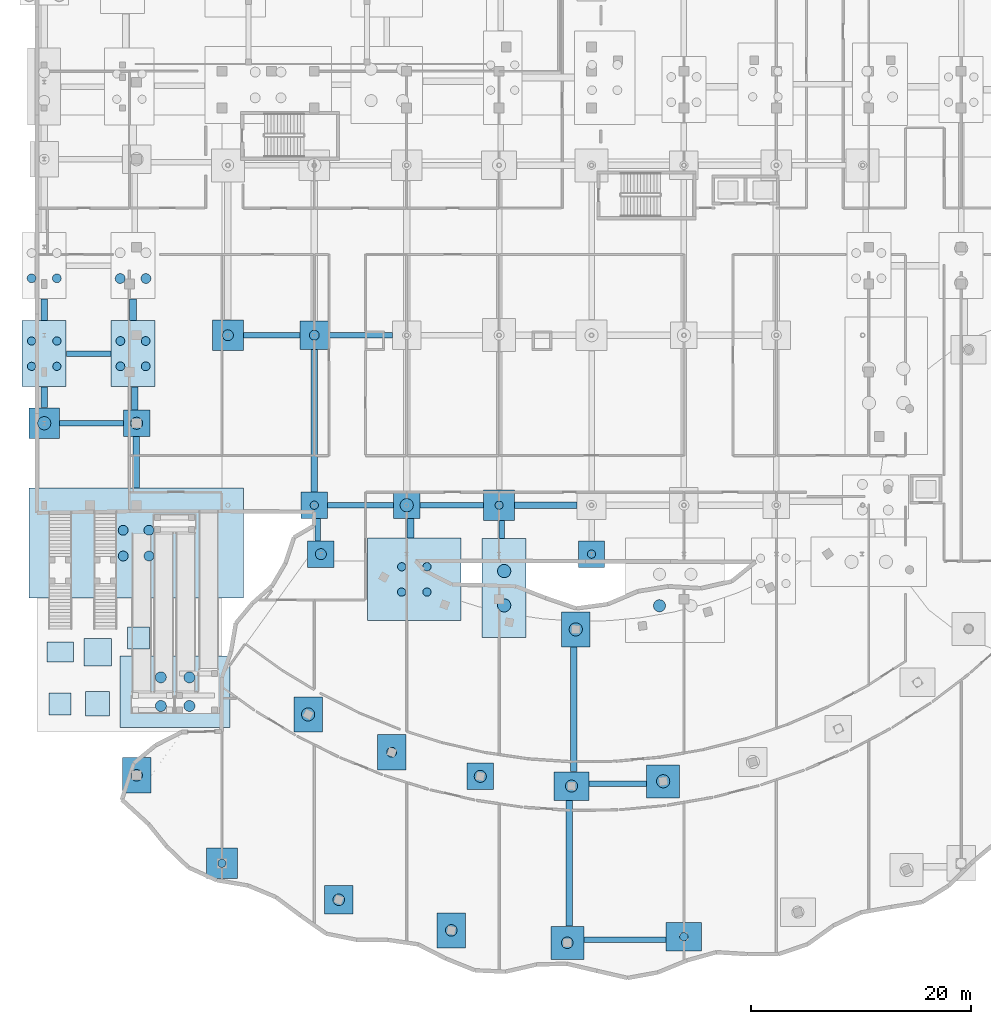
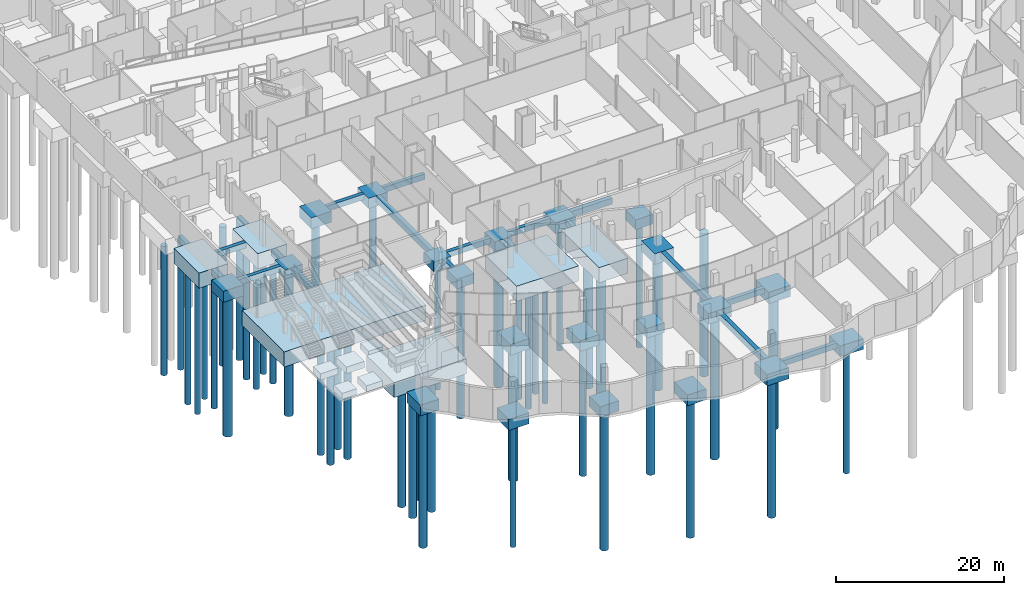
# One storey, part 1 of 45: 52 footings, 48 piles.
"""IFC4 building model written with IfcOpenShell, lengths in metres."""

from ifc_helpers import new_model, si_unit, direction, frame, origin, origin_2d, place, context, subcontext, project, spatial, rectangle, circle, extrude, material, material_profile, profile_set, type_object, element, save


model = new_model("IFC4")

# Units and contexts
model_context = context("Model", 3, precision=1e-05, world=origin(), true_north=direction((0.0, 1.0)))
body_context = subcontext(model_context, "Body", "Model", "MODEL_VIEW")
ifc_project = project(units=[si_unit("LENGTHUNIT", "METRE"), si_unit("AREAUNIT", "SQUARE_METRE"), si_unit("VOLUMEUNIT", "CUBIC_METRE"), si_unit("PLANEANGLEUNIT", "RADIAN"), si_unit("MASSUNIT", "GRAM", prefix="KILO")], contexts=[model_context])

# Site, building, storey
site_placement = place(None, origin())
site = spatial("IfcSite", under=ifc_project, at=site_placement, CompositionType="ELEMENT")
building_placement = place(site_placement, origin())
building = spatial("IfcBuilding", under=site, at=building_placement, Name="Selatvlak General Hospital", CompositionType="ELEMENT")
storey_placement = place(building_placement, frame((0.0, 0.0, -4.800048828125)))
storey = spatial("IfcBuildingStorey", under=building, at=storey_placement, Name="B1", CompositionType="ELEMENT", Elevation=-4.800048828125)

# Footings
ifc_material_1 = material(Name="Concrete C40/50", Category="concrete")
footing_type_1 = type_object("IfcFootingType", Name="FTG-PC-01", PredefinedType="PILE_CAP", material=ifc_material_1)
for number, where, z_axis, x_axis, name in (
    (1, (15.050048828125, 60.0, -1.39990234375), (0.0, 0.0, 1.0), (1.0, 0.0, 0.0), "Pile cap CAP-018"),
    (2, (31.199951171875, 52.550048828125, -1.39990234375), (0.0, 0.0, 1.0), (1.0, 0.0, 0.0), "Pile cap CAP-030"),
    (3, (31.800048828125, 48.10009765625, -1.39990234375), (0.0, 0.0, 1.0), (1.0, 0.0, 0.0), "Pile cap CAP-036"),
    (4, (39.60009765625, 52.550048828125, -1.39990234375), (0.0, 0.0, 1.0), (1.0, 0.0, 0.0), "Pile cap CAP-042"),
    (5, (46.2880859375, 27.906005859375, -1.39990234375), (0.0, 0.0, 1.0), (1.0, 0.0, 0.0), "Pile cap CAP-048"),
    (6, (56.39990234375, 48.10009765625, -1.39990234375), (0.0, 0.0, 1.0), (1.0, 0.0, 0.0), "Pile cap CAP-060"),
):
    element("IfcFooting", number, at=place(storey_placement, frame(where, z_axis=z_axis, x_axis=x_axis)), inside=storey, type_object=footing_type_1, Name=name, PredefinedType="PILE_CAP", context=body_context, shape_type="SweptSolid", body=[
        extrude(rectangle(XDim=2.39990234375, YDim=2.39990234375, at=origin_2d()), origin(), (0.0, 0.0, 1.0), 1.39990234375),
    ])
footing_type_2 = type_object("IfcFootingType", Name="FTG-PC-02", PredefinedType="PILE_CAP", material=ifc_material_1)
for number, where, z_axis, x_axis, name in (
    (7, (31.199951171875, 68.0, -1.5), (0.0, 0.0, 1.0), (1.0, 0.0, 0.0), "Pile cap CAP-031"),
    (8, (33.4189453125, 16.68603515625, -1.5), (0.0, 0.0, 1.0), (1.0, 0.0, 0.0), "Pile cap CAP-037"),
):
    element("IfcFooting", number, at=place(storey_placement, frame(where, z_axis=z_axis, x_axis=x_axis)), inside=storey, type_object=footing_type_2, Name=name, PredefinedType="PILE_CAP", context=body_context, shape_type="SweptSolid", body=[
        extrude(rectangle(XDim=2.60009765625, YDim=2.60009765625, at=origin_2d()), origin(), (0.0, 0.0, 1.0), 1.5),
    ])
footing_type_3 = type_object("IfcFootingType", Name="FTG-PC-03", PredefinedType="PILE_CAP", material=ifc_material_1)
for number, where, z_axis, x_axis, name in (
    (9, (6.64990234375, 60.0, -1.60009765625), (0.0, 0.0, 1.0), (1.0, 0.0, 0.0), "Pile cap CAP-002"),
    (10, (22.800048828125, 20.0, -1.60009765625), (0.0, 0.0, 1.0), (1.0, 0.0, 0.0), "Pile cap CAP-020"),
    (11, (23.35009765625, 68.0, -1.60009765625), (0.0, 0.0, 1.0), (1.0, 0.0, 0.0), "Pile cap CAP-026"),
    (12, (48.0, 52.550048828125, -1.60009765625), (0.0, 0.0, 1.0), (1.0, 0.0, 0.0), "Pile cap CAP-050"),
):
    element("IfcFooting", number, at=place(storey_placement, frame(where, z_axis=z_axis, x_axis=x_axis)), inside=storey, type_object=footing_type_3, Name=name, PredefinedType="PILE_CAP", context=body_context, shape_type="SweptSolid", body=[
        extrude(rectangle(XDim=2.800048828125, YDim=2.800048828125, at=origin_2d()), origin(), (0.0, 0.0, 1.0), 1.60009765625),
    ])
footing_type_4 = type_object("IfcFootingType", Name="FTG-PC-04", PredefinedType="PILE_CAP", material=ifc_material_1)
for number, where, z_axis, x_axis, name in (
    (13, (54.196044921875, 12.77490234375, -1.64990234375), (0.0, 0.0, 1.0), (1.0, 0.0, 0.0), "Pile cap CAP-057"),
    (14, (62.912109375, 27.45703125, -1.64990234375), (0.0, 0.0, 1.0), (1.0, 0.0, 0.0), "Pile cap CAP-069"),
):
    element("IfcFooting", number, at=place(storey_placement, frame(where, z_axis=z_axis, x_axis=x_axis)), inside=storey, type_object=footing_type_4, Name=name, PredefinedType="PILE_CAP", context=body_context, shape_type="SweptSolid", body=[
        extrude(rectangle(XDim=3.0, YDim=3.0, at=origin_2d()), origin(), (0.0, 0.0, 1.0), 1.64990234375),
    ])
footing_type_5 = type_object("IfcFootingType", Name="FTG-PC-05", PredefinedType="PILE_CAP", material=ifc_material_1)
for number, where, z_axis, x_axis, name in (
    (15, (54.58203125, 27.01904296875, -1.5498046875), (0.0, 0.0, 1.0), (1.0, 0.0, 0.0), "Pile cap CAP-058"),
    (16, (64.7890625, 13.3310546875, -1.5498046875), (0.0, 0.0, 1.0), (1.0, 0.0, 0.0), "Pile cap CAP-070"),
):
    element("IfcFooting", number, at=place(storey_placement, frame(where, z_axis=z_axis, x_axis=x_axis)), inside=storey, type_object=footing_type_5, Name=name, PredefinedType="PILE_CAP", context=body_context, shape_type="SweptSolid", body=[
        extrude(rectangle(XDim=3.199951171875, YDim=2.60009765625, at=origin_2d()), origin(), (0.0, 0.0, 1.0), 1.550048828125),
    ])
footing_type_6 = type_object("IfcFootingType", Name="FTG-PC-06", PredefinedType="PILE_CAP", material=ifc_material_1)
for number, where, z_axis, x_axis, name in (
    (17, (15.050048828125, 28.0, -1.5498046875), (0.0, 0.0, 1.0), (1.0, 0.0, 0.0), "Pile cap CAP-017"),
    (18, (30.637939453125, 33.531982421875, -1.5498046875), (0.0, 0.0, 1.0), (1.0, 0.0, 0.0), "Pile cap CAP-029"),
    (19, (38.239013671875, 30.095947265625, -1.5498046875), (0.0, 0.0, 1.0), (1.0, 0.0, 0.0), "Pile cap CAP-041"),
    (20, (43.652099609375, 13.902099609375, -1.5498046875), (0.0, 0.0, 1.0), (1.0, 0.0, 0.0), "Pile cap CAP-047"),
    (21, (54.968017578125, 41.262939453125, -1.5498046875), (0.0, 0.0, 1.0), (1.0, 0.0, 0.0), "Pile cap CAP-059"),
):
    element("IfcFooting", number, at=place(storey_placement, frame(where, z_axis=z_axis, x_axis=x_axis)), inside=storey, type_object=footing_type_6, Name=name, PredefinedType="PILE_CAP", context=body_context, shape_type="SweptSolid", body=[
        extrude(rectangle(XDim=2.60009765625, YDim=3.199951171875, at=origin_2d()), origin(), (0.0, 0.0, 1.0), 1.550048828125),
    ])
footing_type_7 = type_object("IfcFootingType", Name="FTG-PC-20", PredefinedType="PILE_CAP", material=ifc_material_1)
for number, where, z_axis, x_axis, name in (
    (22, (6.64990234375, 66.324951171875, -2.19970703125), (0.0, 0.0, 1.0), (1.0, 0.0, 0.0), "Pile cap CAP-003"),
    (23, (14.72509765625, 66.324951171875, -2.19970703125), (0.0, 0.0, 1.0), (1.0, 0.0, 0.0), "Pile cap CAP-014"),
):
    element("IfcFooting", number, at=place(storey_placement, frame(where, z_axis=z_axis, x_axis=x_axis)), inside=storey, type_object=footing_type_7, Name=name, PredefinedType="PILE_CAP", context=body_context, shape_type="SweptSolid", body=[
        extrude(rectangle(XDim=4.0, YDim=6.0, at=origin_2d()), origin(), (0.0, 0.0, 1.0), 2.199951171875),
    ])
footing_type_8 = type_object("IfcFootingType", Name="FTG-PC-M01", PredefinedType="PILE_CAP", material=ifc_material_1)
footing_1_placement = place(storey_placement, frame((15.0, 49.10009765625, -2.19970703125), z_axis=(0.0, 0.0, 1.0), x_axis=(1.0, 0.0, 0.0)))
element("IfcFooting", 24, at=footing_1_placement, inside=storey, type_object=footing_type_8, Name="Pile cap CAP-001", PredefinedType="PILE_CAP", context=body_context, shape_type="SweptSolid", body=[
    extrude(rectangle(XDim=19.5, YDim=10.0, at=origin_2d()), origin(), (0.0, 0.0, 1.0), 2.199951171875),
])
footing_type_9 = type_object("IfcFootingType", Name="FTG-PC-M16", PredefinedType="PILE_CAP", material=ifc_material_1)
footing_2_placement = place(storey_placement, frame((18.550048828125, 35.60009765625, -2.44482421875), z_axis=(0.0, 0.0, 1.0), x_axis=(1.0, 0.0, 0.0)))
element("IfcFooting", 25, at=footing_2_placement, inside=storey, type_object=footing_type_9, Name="Pile cap CAP-016", PredefinedType="PILE_CAP", context=body_context, shape_type="SweptSolid", body=[
    extrude(rectangle(XDim=10.0, YDim=6.5, at=origin_2d()), origin(), (0.0, 0.0, 1.0), 2.199951171875),
])
footing_type_10 = type_object("IfcFootingType", Name="FTG-PC-M40", PredefinedType="PILE_CAP", material=ifc_material_1)
footing_3_placement = place(storey_placement, frame((40.2900390625, 45.802978515625, -2.19970703125), z_axis=(0.0, 0.0, 1.0), x_axis=(1.0, 0.0, 0.0)))
element("IfcFooting", 26, at=footing_3_placement, inside=storey, type_object=footing_type_10, Name="Pile cap CAP-040", PredefinedType="PILE_CAP", context=body_context, shape_type="SweptSolid", body=[
    extrude(rectangle(XDim=8.5, YDim=7.5, at=origin_2d()), origin(), (0.0, 0.0, 1.0), 2.199951171875),
])
footing_type_11 = type_object("IfcFootingType", Name="FTG-PC-M49", PredefinedType="PILE_CAP", material=ifc_material_1)
footing_4_placement = place(storey_placement, frame((48.4619140625, 45.0048828125, -2.19970703125), z_axis=(0.0, 0.0, 1.0), x_axis=(1.0, 0.0, 0.0)))
element("IfcFooting", 27, at=footing_4_placement, inside=storey, type_object=footing_type_11, Name="Pile cap CAP-049", PredefinedType="PILE_CAP", context=body_context, shape_type="SweptSolid", body=[
    extrude(rectangle(XDim=4.0, YDim=9.0, at=origin_2d()), origin(), (0.0, 0.0, 1.0), 2.199951171875),
])
footing_type_12 = type_object("IfcFootingType", Name="FTG-PF-01", PredefinedType="PAD_FOOTING", material=ifc_material_1)
for number, where, z_axis, x_axis, name in (
    (28, (8.10009765625, 34.5, -1.094970703125), (0.0, 0.0, 1.0), (1.0, 0.0, 0.0), "Forecourt spread pad footing PAD-01"),
    (29, (15.199951171875, 40.5, -1.094970703125), (0.0, 0.0, 1.0), (1.0, 0.0, 0.0), "Forecourt spread pad footing PAD-05"),
):
    element("IfcFooting", number, at=place(storey_placement, frame(where, z_axis=z_axis, x_axis=x_axis)), inside=storey, type_object=footing_type_12, Name=name, PredefinedType="PAD_FOOTING", context=body_context, shape_type="SweptSolid", body=[
        extrude(rectangle(XDim=2.0, YDim=2.0, at=origin_2d()), origin(), (0.0, 0.0, 1.0), 0.85009765625),
    ])
footing_type_13 = type_object("IfcFootingType", Name="FTG-PF-02", PredefinedType="PAD_FOOTING", material=ifc_material_1)
footing_5_placement = place(storey_placement, frame((11.5, 34.5, -1.14501953125), z_axis=(0.0, 0.0, 1.0), x_axis=(1.0, 0.0, 0.0)))
element("IfcFooting", 30, at=footing_5_placement, inside=storey, type_object=footing_type_13, Name="Forecourt spread pad footing PAD-02", PredefinedType="PAD_FOOTING", context=body_context, shape_type="SweptSolid", body=[
    extrude(rectangle(XDim=2.199951171875, YDim=2.199951171875, at=origin_2d()), origin(), (0.0, 0.0, 1.0), 0.89990234375),
])
footing_type_14 = type_object("IfcFootingType", Name="FTG-PF-03", PredefinedType="PAD_FOOTING", material=ifc_material_1)
footing_6_placement = place(storey_placement, frame((8.10009765625, 39.199951171875, -1.14501953125), z_axis=(0.0, 0.0, 1.0), x_axis=(1.0, 0.0, 0.0)))
element("IfcFooting", 31, at=footing_6_placement, inside=storey, type_object=footing_type_14, Name="Forecourt spread pad footing PAD-03", PredefinedType="PAD_FOOTING", context=body_context, shape_type="SweptSolid", body=[
    extrude(rectangle(XDim=2.39990234375, YDim=1.800048828125, at=origin_2d()), origin(), (0.0, 0.0, 1.0), 0.89990234375),
])
footing_type_15 = type_object("IfcFootingType", Name="FTG-PF-04", PredefinedType="PAD_FOOTING", material=ifc_material_1)
footing_7_placement = place(storey_placement, frame((11.5, 39.199951171875, -1.19482421875), z_axis=(0.0, 0.0, 1.0), x_axis=(1.0, 0.0, 0.0)))
element("IfcFooting", 32, at=footing_7_placement, inside=storey, type_object=footing_type_15, Name="Forecourt spread pad footing PAD-04", PredefinedType="PAD_FOOTING", context=body_context, shape_type="SweptSolid", body=[
    extrude(rectangle(XDim=2.5, YDim=2.5, at=origin_2d()), origin(), (0.0, 0.0, 1.0), 0.949951171875),
])
ifc_material_2 = material(Name="Concrete C35/45", Category="concrete")
footing_type_16 = type_object("IfcFootingType", Name="FTG-TB-01", PredefinedType="FOOTING_BEAM", material=ifc_material_2)
footing_8_placement = place(storey_placement, frame((15.02490234375, 56.449951171875, -0.89990234375), z_axis=(0.0, 0.0, 1.0), x_axis=(0.0, 1.0, 0.0)))
element("IfcFooting", 33, at=footing_8_placement, inside=storey, type_object=footing_type_16, Name="Foundation tie beam TBF-001", PredefinedType="FOOTING_BEAM", context=body_context, shape_type="SweptSolid", body=[
    extrude(rectangle(XDim=4.679931640625, YDim=0.60009765625, at=origin_2d()), origin(), (0.0, 0.0, 1.0), 0.89990234375),
])
footing_type_17 = type_object("IfcFootingType", Name="FTG-TB-02", PredefinedType="FOOTING_BEAM", material=ifc_material_2)
for number, where, z_axis, x_axis, name in (
    (34, (10.949951171875, 60.0, -0.7998046875), (0.0, 0.0, 1.0), (1.0, 0.0, 0.0), "Foundation tie beam TBF-002"),
    (35, (35.39990234375, 68.0, -0.7998046875), (0.0, 0.0, 1.0), (1.0, 0.0, 0.0), "Foundation tie beam TBF-038"),
    (36, (43.699951171875, 52.550048828125, -0.7998046875), (0.0, 0.0, 1.0), (1.0, 0.0, 0.0), "Foundation tie beam TBF-046"),
):
    element("IfcFooting", number, at=place(storey_placement, frame(where, z_axis=z_axis, x_axis=x_axis)), inside=storey, type_object=footing_type_17, Name=name, PredefinedType="FOOTING_BEAM", context=body_context, shape_type="SweptSolid", body=[
        extrude(rectangle(XDim=5.780029296875, YDim=0.5, at=origin_2d()), origin(), (0.0, 0.0, 1.0), 0.800048828125),
    ])
footing_type_18 = type_object("IfcFootingType", Name="FTG-TB-03", PredefinedType="FOOTING_BEAM", material=ifc_material_2)
footing_9_placement = place(storey_placement, frame((6.64990234375, 62.362060546875, -0.89990234375), z_axis=(0.0, 0.0, 1.0), x_axis=(0.0, 1.0, 0.0)))
element("IfcFooting", 37, at=footing_9_placement, inside=storey, type_object=footing_type_18, Name="Foundation tie beam TBF-003", PredefinedType="FOOTING_BEAM", context=body_context, shape_type="SweptSolid", body=[
    extrude(rectangle(XDim=1.905029296875, YDim=0.60009765625, at=origin_2d()), origin(), (0.0, 0.0, 1.0), 0.89990234375),
])
footing_type_19 = type_object("IfcFootingType", Name="FTG-TB-04", PredefinedType="FOOTING_BEAM", material=ifc_material_2)
footing_10_placement = place(storey_placement, frame((10.68798828125, 66.324951171875, -0.7998046875), z_axis=(0.0, 0.0, 1.0), x_axis=(1.0, 0.0, 0.0)))
element("IfcFooting", 38, at=footing_10_placement, inside=storey, type_object=footing_type_19, Name="Foundation tie beam TBF-004", PredefinedType="FOOTING_BEAM", context=body_context, shape_type="SweptSolid", body=[
    extrude(rectangle(XDim=4.054931640625, YDim=0.5, at=origin_2d()), origin(), (0.0, 0.0, 1.0), 0.800048828125),
])
footing_type_20 = type_object("IfcFootingType", Name="FTG-TB-05", PredefinedType="FOOTING_BEAM", material=ifc_material_2)
for number, where, z_axis, x_axis, name in (
    (39, (6.64990234375, 70.324951171875, -0.89990234375), (0.0, 0.0, 1.0), (0.0, 1.0, 0.0), "Foundation tie beam TBF-005"),
    (40, (14.72509765625, 70.324951171875, -0.89990234375), (0.0, 0.0, 1.0), (0.0, 1.0, 0.0), "Foundation tie beam TBF-021"),
):
    element("IfcFooting", number, at=place(storey_placement, frame(where, z_axis=z_axis, x_axis=x_axis)), inside=storey, type_object=footing_type_20, Name=name, PredefinedType="FOOTING_BEAM", context=body_context, shape_type="SweptSolid", body=[
        extrude(rectangle(XDim=1.97998046875, YDim=0.60009765625, at=origin_2d()), origin(), (0.0, 0.0, 1.0), 0.89990234375),
    ])
footing_type_21 = type_object("IfcFootingType", Name="FTG-TB-19", PredefinedType="FOOTING_BEAM", material=ifc_material_2)
footing_11_placement = place(storey_placement, frame((14.886962890625, 62.262939453125, -0.89990234375), z_axis=(0.0, 0.0, 1.0), x_axis=(0.0, 1.0, 0.0)))
element("IfcFooting", 41, at=footing_11_placement, inside=storey, type_object=footing_type_21, Name="Foundation tie beam TBF-023", PredefinedType="FOOTING_BEAM", context=body_context, shape_type="SweptSolid", body=[
    extrude(rectangle(XDim=2.10498046875, YDim=0.60009765625, at=origin_2d()), origin(), (0.0, 0.0, 1.0), 0.89990234375),
])
footing_type_22 = type_object("IfcFootingType", Name="FTG-TB-27", PredefinedType="FOOTING_BEAM", material=ifc_material_2)
footing_12_placement = place(storey_placement, frame((27.324951171875, 68.0, -0.7998046875), z_axis=(0.0, 0.0, 1.0), x_axis=(1.0, 0.0, 0.0)))
element("IfcFooting", 42, at=footing_12_placement, inside=storey, type_object=footing_type_22, Name="Foundation tie beam TBF-032", PredefinedType="FOOTING_BEAM", context=body_context, shape_type="SweptSolid", body=[
    extrude(rectangle(XDim=5.1298828125, YDim=0.5, at=origin_2d()), origin(), (0.0, 0.0, 1.0), 0.800048828125),
])
footing_type_23 = type_object("IfcFootingType", Name="FTG-TB-31", PredefinedType="FOOTING_BEAM", material=ifc_material_2)
footing_13_placement = place(storey_placement, frame((35.39990234375, 52.550048828125, -0.7998046875), z_axis=(0.0, 0.0, 1.0), x_axis=(1.0, 0.0, 0.0)))
element("IfcFooting", 43, at=footing_13_placement, inside=storey, type_object=footing_type_23, Name="Foundation tie beam TBF-036", PredefinedType="FOOTING_BEAM", context=body_context, shape_type="SweptSolid", body=[
    extrude(rectangle(XDim=5.97998046875, YDim=0.5, at=origin_2d()), origin(), (0.0, 0.0, 1.0), 0.800048828125),
])
footing_type_24 = type_object("IfcFootingType", Name="FTG-TB-32", PredefinedType="FOOTING_BEAM", material=ifc_material_2)
footing_14_placement = place(storey_placement, frame((31.199951171875, 60.22509765625, -0.89990234375), z_axis=(0.0, 0.0, 1.0), x_axis=(0.0, 1.0, 0.0)))
element("IfcFooting", 44, at=footing_14_placement, inside=storey, type_object=footing_type_24, Name="Foundation tie beam TBF-037", PredefinedType="FOOTING_BEAM", context=body_context, shape_type="SweptSolid", body=[
    extrude(rectangle(XDim=12.929931640625, YDim=0.60009765625, at=origin_2d()), origin(), (0.0, 0.0, 1.0), 0.89990234375),
])
footing_type_25 = type_object("IfcFootingType", Name="FTG-TB-36", PredefinedType="FOOTING_BEAM", material=ifc_material_2)
footing_15_placement = place(storey_placement, frame((31.5, 50.324951171875, -0.7998046875), z_axis=(0.0, 0.0, 1.0), x_axis=(0.0, 1.0, 0.0)))
element("IfcFooting", 45, at=footing_15_placement, inside=storey, type_object=footing_type_25, Name="Foundation tie beam TBF-042", PredefinedType="FOOTING_BEAM", context=body_context, shape_type="SweptSolid", body=[
    extrude(rectangle(XDim=2.030029296875, YDim=0.5, at=origin_2d()), origin(), (0.0, 0.0, 1.0), 0.800048828125),
])
footing_type_26 = type_object("IfcFootingType", Name="FTG-TB-39", PredefinedType="FOOTING_BEAM", material=ifc_material_2)
footing_16_placement = place(storey_placement, frame((39.945068359375, 50.450927734375, -0.89990234375), z_axis=(0.0, 0.0, 1.0), x_axis=(0.0, 1.0, 0.0)))
element("IfcFooting", 46, at=footing_16_placement, inside=storey, type_object=footing_type_26, Name="Foundation tie beam TBF-045", PredefinedType="FOOTING_BEAM", context=body_context, shape_type="SweptSolid", body=[
    extrude(rectangle(XDim=1.777099609375, YDim=0.60009765625, at=origin_2d()), origin(), (0.0, 0.0, 1.0), 0.89990234375),
])
footing_type_27 = type_object("IfcFootingType", Name="FTG-TB-42", PredefinedType="FOOTING_BEAM", material=ifc_material_2)
footing_17_placement = place(storey_placement, frame((48.23095703125, 50.327880859375, -0.7998046875), z_axis=(0.0, 0.0, 1.0), x_axis=(0.0, 1.0, 0.0)))
element("IfcFooting", 47, at=footing_17_placement, inside=storey, type_object=footing_type_27, Name="Foundation tie beam TBF-052", PredefinedType="FOOTING_BEAM", context=body_context, shape_type="SweptSolid", body=[
    extrude(rectangle(XDim=1.625, YDim=0.5, at=origin_2d()), origin(), (0.0, 0.0, 1.0), 0.800048828125),
])
footing_type_28 = type_object("IfcFootingType", Name="FTG-TB-43", PredefinedType="FOOTING_BEAM", material=ifc_material_2)
footing_18_placement = place(storey_placement, frame((52.25, 52.550048828125, -0.89990234375), z_axis=(0.0, 0.0, 1.0), x_axis=(1.0, 0.0, 0.0)))
element("IfcFooting", 48, at=footing_18_placement, inside=storey, type_object=footing_type_28, Name="Foundation tie beam TBF-053", PredefinedType="FOOTING_BEAM", context=body_context, shape_type="SweptSolid", body=[
    extrude(rectangle(XDim=5.679931640625, YDim=0.60009765625, at=origin_2d()), origin(), (0.0, 0.0, 1.0), 0.89990234375),
])
footing_type_29 = type_object("IfcFootingType", Name="FTG-TB-55", PredefinedType="FOOTING_BEAM", material=ifc_material_2)
footing_19_placement = place(storey_placement, frame((59.44189453125, 13.052978515625, -0.7998046875), z_axis=(0.0, 0.0, 1.0), x_axis=(1.0, 0.0, 0.0)))
element("IfcFooting", 49, at=footing_19_placement, inside=storey, type_object=footing_type_29, Name="Foundation tie beam TBF-066", PredefinedType="FOOTING_BEAM", context=body_context, shape_type="SweptSolid", body=[
    extrude(rectangle(XDim=7.472900390625, YDim=0.5, at=origin_2d()), origin(), (0.0, 0.0, 1.0), 0.800048828125),
])
footing_type_30 = type_object("IfcFootingType", Name="FTG-TB-56", PredefinedType="FOOTING_BEAM", material=ifc_material_2)
footing_20_placement = place(storey_placement, frame((54.388916015625, 19.9970703125, -0.89990234375), z_axis=(0.0, 0.0, 1.0), x_axis=(0.0, 1.0, 0.0)))
element("IfcFooting", 50, at=footing_20_placement, inside=storey, type_object=footing_type_30, Name="Foundation tie beam TBF-067", PredefinedType="FOOTING_BEAM", context=body_context, shape_type="SweptSolid", body=[
    extrude(rectangle(XDim=11.424072265625, YDim=0.60009765625, at=origin_2d()), origin(), (0.0, 0.0, 1.0), 0.89990234375),
])
footing_type_31 = type_object("IfcFootingType", Name="FTG-TB-57", PredefinedType="FOOTING_BEAM", material=ifc_material_2)
footing_21_placement = place(storey_placement, frame((58.797119140625, 27.238037109375, -0.7998046875), z_axis=(0.0, 0.0, 1.0), x_axis=(1.0, 0.0, 0.0)))
element("IfcFooting", 51, at=footing_21_placement, inside=storey, type_object=footing_type_31, Name="Foundation tie beam TBF-068", PredefinedType="FOOTING_BEAM", context=body_context, shape_type="SweptSolid", body=[
    extrude(rectangle(XDim=5.2099609375, YDim=0.5, at=origin_2d()), origin(), (0.0, 0.0, 1.0), 0.800048828125),
])
footing_type_32 = type_object("IfcFootingType", Name="FTG-TB-58", PredefinedType="FOOTING_BEAM", material=ifc_material_2)
footing_22_placement = place(storey_placement, frame((54.77490234375, 33.990966796875, -0.89990234375), z_axis=(0.0, 0.0, 1.0), x_axis=(0.0, 1.0, 0.0)))
element("IfcFooting", 52, at=footing_22_placement, inside=storey, type_object=footing_type_32, Name="Foundation tie beam TBF-069", PredefinedType="FOOTING_BEAM", context=body_context, shape_type="SweptSolid", body=[
    extrude(rectangle(XDim=11.323974609375, YDim=0.60009765625, at=origin_2d()), origin(), (0.0, 0.0, 1.0), 0.89990234375),
])

# Piles
ifc_material_profile_1 = material_profile(ifc_material_1, circle(Radius=0.375, at=origin_2d()), Name="BORED PILE 750")
ifc_profile_set_1 = profile_set([ifc_material_profile_1], Name="Concrete C40/50")
pile_type_1 = type_object("IfcPileType", Name="PILE-BP-01", PredefinedType="BORED", material=ifc_profile_set_1)
for number, where, z_axis, x_axis, name in (
    (53, (22.800048828125, 20.0, -1.5), (0.0, 0.0, -1.0), (1.0, 0.0, 0.0), "Bored pile PLF-0050"),
    (54, (31.199951171875, 52.550048828125, -1.300048828125), (0.0, 0.0, -1.0), (1.0, 0.0, 0.0), "Bored pile PLF-0065"),
    (55, (39.139892578125, 44.653076171875, -2.099853515625), (0.0, 0.0, -1.0), (1.0, 0.0, 0.0), "Bored pile PLF-0080"),
    (56, (39.139892578125, 46.952880859375, -2.099853515625), (0.0, 0.0, -1.0), (1.0, 0.0, 0.0), "Bored pile PLF-0081"),
    (57, (41.43994140625, 44.653076171875, -2.099853515625), (0.0, 0.0, -1.0), (1.0, 0.0, 0.0), "Bored pile PLF-0082"),
    (58, (41.43994140625, 46.952880859375, -2.099853515625), (0.0, 0.0, -1.0), (1.0, 0.0, 0.0), "Bored pile PLF-0083"),
    (59, (48.0, 52.550048828125, -1.5), (0.0, 0.0, -1.0), (1.0, 0.0, 0.0), "Bored pile PLF-0094"),
    (60, (56.39990234375, 48.10009765625, -1.300048828125), (0.0, 0.0, -1.0), (1.0, 0.0, 0.0), "Bored pile PLF-0108"),
    (61, (64.7890625, 13.3310546875, -1.449951171875), (0.0, 0.0, -1.0), (1.0, 0.0, 0.0), "Bored pile PLF-0128"),
):
    element("IfcPile", number, at=place(storey_placement, frame(where, z_axis=z_axis, x_axis=x_axis)), inside=storey, type_object=pile_type_1, Name=name, PredefinedType="BORED", context=body_context, shape_type="SweptSolid", body=[
        extrude(circle(Radius=0.375, at=origin_2d()), origin(), (0.0, 0.0, 1.0), 18.199951171875),
    ])
ifc_material_profile_2 = material_profile(ifc_material_1, circle(Radius=0.449951171875, at=origin_2d()), Name="BORED PILE 900")
ifc_profile_set_2 = profile_set([ifc_material_profile_2], Name="Concrete C40/50")
pile_type_2 = type_object("IfcPileType", Name="PILE-BP-02", PredefinedType="BORED", material=ifc_profile_set_2)
for number, where, z_axis, x_axis, name in (
    (62, (13.830078125, 47.929931640625, -2.099853515625), (0.0, 0.0, -1.0), (1.0, 0.0, 0.0), "Bored pile PLF-0001"),
    (63, (13.830078125, 50.27001953125, -2.099853515625), (0.0, 0.0, -1.0), (1.0, 0.0, 0.0), "Bored pile PLF-0002"),
    (64, (16.169921875, 47.929931640625, -2.099853515625), (0.0, 0.0, -1.0), (1.0, 0.0, 0.0), "Bored pile PLF-0003"),
    (65, (16.169921875, 50.27001953125, -2.099853515625), (0.0, 0.0, -1.0), (1.0, 0.0, 0.0), "Bored pile PLF-0004"),
    (66, (31.199951171875, 68.0, -1.39990234375), (0.0, 0.0, -1.0), (1.0, 0.0, 0.0), "Bored pile PLF-0066"),
    (67, (38.239013671875, 30.095947265625, -1.449951171875), (0.0, 0.0, -1.0), (1.0, 0.0, 0.0), "Bored pile PLF-0084"),
):
    element("IfcPile", number, at=place(storey_placement, frame(where, z_axis=z_axis, x_axis=x_axis)), inside=storey, type_object=pile_type_2, Name=name, PredefinedType="BORED", context=body_context, shape_type="SweptSolid", body=[
        extrude(circle(Radius=0.449951171875, at=origin_2d()), origin(), (0.0, 0.0, 1.0), 19.39990234375),
    ])
ifc_material_profile_3 = material_profile(ifc_material_1, circle(Radius=0.60009765625, at=origin_2d()), Name="BORED PILE 1200")
ifc_profile_set_3 = profile_set([ifc_material_profile_3], Name="Concrete C40/50")
pile_type_3 = type_object("IfcPileType", Name="PILE-BP-03", PredefinedType="BORED", material=ifc_profile_set_3)
for number, where, z_axis, x_axis, name in (
    (68, (6.64990234375, 60.0, -1.5), (0.0, 0.0, -1.0), (1.0, 0.0, 0.0), "Bored pile PLF-0005"),
    (69, (39.60009765625, 52.550048828125, -1.300048828125), (0.0, 0.0, -1.0), (1.0, 0.0, 0.0), "Bored pile PLF-0085"),
):
    element("IfcPile", number, at=place(storey_placement, frame(where, z_axis=z_axis, x_axis=x_axis)), inside=storey, type_object=pile_type_3, Name=name, PredefinedType="BORED", context=body_context, shape_type="SweptSolid", body=[
        extrude(circle(Radius=0.60009765625, at=origin_2d()), origin(), (0.0, 0.0, 1.0), 20.60009765625),
    ])
ifc_material_profile_4 = material_profile(ifc_material_1, circle(Radius=0.375, at=origin_2d()), Name="BORED PILE 750")
ifc_profile_set_4 = profile_set([ifc_material_profile_4], Name="Concrete C40/50")
pile_type_4 = type_object("IfcPileType", Name="PILE-BP-04", PredefinedType="BORED", material=ifc_profile_set_4)
for number, where, z_axis, x_axis, name in (
    (70, (5.5, 65.175048828125, -2.099853515625), (0.0, 0.0, -1.0), (1.0, 0.0, 0.0), "Bored pile PLF-0006"),
    (71, (5.5, 67.47509765625, -2.099853515625), (0.0, 0.0, -1.0), (1.0, 0.0, 0.0), "Bored pile PLF-0007"),
    (72, (7.800048828125, 65.175048828125, -2.099853515625), (0.0, 0.0, -1.0), (1.0, 0.0, 0.0), "Bored pile PLF-0008"),
    (73, (7.800048828125, 67.47509765625, -2.099853515625), (0.0, 0.0, -1.0), (1.0, 0.0, 0.0), "Bored pile PLF-0009"),
):
    element("IfcPile", number, at=place(storey_placement, frame(where, z_axis=z_axis, x_axis=x_axis)), inside=storey, type_object=pile_type_4, Name=name, PredefinedType="BORED", context=body_context, shape_type="SweptSolid", body=[
        extrude(circle(Radius=0.375, at=origin_2d()), origin(), (0.0, 0.0, 1.0), 19.60009765625),
    ])
ifc_material_profile_5 = material_profile(ifc_material_1, circle(Radius=0.39990234375, at=origin_2d()), Name="BORED PILE 800")
ifc_profile_set_5 = profile_set([ifc_material_profile_5], Name="Concrete C40/50")
pile_type_5 = type_object("IfcPileType", Name="PILE-BP-05", PredefinedType="BORED", material=ifc_profile_set_5)
for number, where, z_axis, x_axis, name in (
    (74, (5.5, 73.175048828125, -2.099853515625), (0.0, 0.0, -1.0), (1.0, 0.0, 0.0), "Bored pile PLF-0010"),
    (75, (7.800048828125, 73.175048828125, -2.099853515625), (0.0, 0.0, -1.0), (1.0, 0.0, 0.0), "Bored pile PLF-0012"),
    (76, (13.574951171875, 65.175048828125, -2.099853515625), (0.0, 0.0, -1.0), (1.0, 0.0, 0.0), "Bored pile PLF-0035"),
    (77, (13.574951171875, 67.47509765625, -2.099853515625), (0.0, 0.0, -1.0), (1.0, 0.0, 0.0), "Bored pile PLF-0036"),
    (78, (15.875, 65.175048828125, -2.099853515625), (0.0, 0.0, -1.0), (1.0, 0.0, 0.0), "Bored pile PLF-0037"),
    (79, (15.875, 67.47509765625, -2.099853515625), (0.0, 0.0, -1.0), (1.0, 0.0, 0.0), "Bored pile PLF-0038"),
):
    element("IfcPile", number, at=place(storey_placement, frame(where, z_axis=z_axis, x_axis=x_axis)), inside=storey, type_object=pile_type_5, Name=name, PredefinedType="BORED", context=body_context, shape_type="SweptSolid", body=[
        extrude(circle(Radius=0.39990234375, at=origin_2d()), origin(), (0.0, 0.0, 1.0), 18.800048828125),
    ])
ifc_material_profile_6 = material_profile(ifc_material_1, circle(Radius=0.449951171875, at=origin_2d()), Name="BORED PILE 900")
ifc_profile_set_6 = profile_set([ifc_material_profile_6], Name="Concrete C40/50")
pile_type_6 = type_object("IfcPileType", Name="PILE-BP-06", PredefinedType="BORED", material=ifc_profile_set_6)
for number, where, z_axis, x_axis, name in (
    (80, (13.554931640625, 73.155029296875, -2.099853515625), (0.0, 0.0, -1.0), (1.0, 0.0, 0.0), "Bored pile PLF-0039"),
    (81, (15.89501953125, 73.155029296875, -2.099853515625), (0.0, 0.0, -1.0), (1.0, 0.0, 0.0), "Bored pile PLF-0041"),
):
    element("IfcPile", number, at=place(storey_placement, frame(where, z_axis=z_axis, x_axis=x_axis)), inside=storey, type_object=pile_type_6, Name=name, PredefinedType="BORED", context=body_context, shape_type="SweptSolid", body=[
        extrude(circle(Radius=0.449951171875, at=origin_2d()), origin(), (0.0, 0.0, 1.0), 20.199951171875),
    ])
ifc_material_profile_7 = material_profile(ifc_material_1, circle(Radius=0.5, at=origin_2d()), Name="BORED PILE 1000")
ifc_profile_set_7 = profile_set([ifc_material_profile_7], Name="Concrete C40/50")
pile_type_7 = type_object("IfcPileType", Name="PILE-BP-07", PredefinedType="BORED", material=ifc_profile_set_7)
for number, where, z_axis, x_axis, name in (
    (82, (17.25, 34.300048828125, -2.344970703125), (0.0, 0.0, -1.0), (1.0, 0.0, 0.0), "Bored pile PLF-0043"),
    (83, (17.25, 36.89990234375, -2.344970703125), (0.0, 0.0, -1.0), (1.0, 0.0, 0.0), "Bored pile PLF-0044"),
    (84, (19.85009765625, 34.300048828125, -2.344970703125), (0.0, 0.0, -1.0), (1.0, 0.0, 0.0), "Bored pile PLF-0045"),
    (85, (19.85009765625, 36.89990234375, -2.344970703125), (0.0, 0.0, -1.0), (1.0, 0.0, 0.0), "Bored pile PLF-0046"),
    (86, (23.35009765625, 68.0, -1.5), (0.0, 0.0, -1.0), (1.0, 0.0, 0.0), "Bored pile PLF-0060"),
    (87, (31.800048828125, 48.10009765625, -1.300048828125), (0.0, 0.0, -1.0), (1.0, 0.0, 0.0), "Bored pile PLF-0072"),
):
    element("IfcPile", number, at=place(storey_placement, frame(where, z_axis=z_axis, x_axis=x_axis)), inside=storey, type_object=pile_type_7, Name=name, PredefinedType="BORED", context=body_context, shape_type="SweptSolid", body=[
        extrude(circle(Radius=0.5, at=origin_2d()), origin(), (0.0, 0.0, 1.0), 19.800048828125),
    ])
ifc_material_profile_8 = material_profile(ifc_material_1, circle(Radius=0.52490234375, at=origin_2d()), Name="BORED PILE 1050")
ifc_profile_set_8 = profile_set([ifc_material_profile_8], Name="Concrete C40/50")
pile_type_8 = type_object("IfcPileType", Name="PILE-BP-08", PredefinedType="BORED", material=ifc_profile_set_8)
for number, where, z_axis, x_axis, name in (
    (88, (15.050048828125, 28.0, -1.449951171875), (0.0, 0.0, -1.0), (1.0, 0.0, 0.0), "Bored pile PLF-0047"),
    (89, (33.4189453125, 16.68603515625, -1.39990234375), (0.0, 0.0, -1.0), (1.0, 0.0, 0.0), "Bored pile PLF-0073"),
    (90, (43.652099609375, 13.902099609375, -1.449951171875), (0.0, 0.0, -1.0), (1.0, 0.0, 0.0), "Bored pile PLF-0090"),
    (91, (54.196044921875, 12.77490234375, -1.550048828125), (0.0, 0.0, -1.0), (1.0, 0.0, 0.0), "Bored pile PLF-0105"),
):
    element("IfcPile", number, at=place(storey_placement, frame(where, z_axis=z_axis, x_axis=x_axis)), inside=storey, type_object=pile_type_8, Name=name, PredefinedType="BORED", context=body_context, shape_type="SweptSolid", body=[
        extrude(circle(Radius=0.52490234375, at=origin_2d()), origin(), (0.0, 0.0, 1.0), 20.39990234375),
    ])
ifc_material_profile_9 = material_profile(ifc_material_1, circle(Radius=0.550048828125, at=origin_2d()), Name="BORED PILE 1100")
ifc_profile_set_9 = profile_set([ifc_material_profile_9], Name="Concrete C40/50")
pile_type_9 = type_object("IfcPileType", Name="PILE-BP-09", PredefinedType="BORED", material=ifc_profile_set_9)
for number, where, z_axis, x_axis, name in (
    (92, (15.050048828125, 60.0, -1.300048828125), (0.0, 0.0, -1.0), (1.0, 0.0, 0.0), "Bored pile PLF-0048"),
    (93, (46.2880859375, 27.906005859375, -1.300048828125), (0.0, 0.0, -1.0), (1.0, 0.0, 0.0), "Bored pile PLF-0091"),
    (94, (54.58203125, 27.01904296875, -1.449951171875), (0.0, 0.0, -1.0), (1.0, 0.0, 0.0), "Bored pile PLF-0106"),
    (95, (62.576904296875, 43.410888671875, -2.099853515625), (0.0, 0.0, -1.0), (1.0, 0.0, 0.0), "Bored pile PLF-0123"),
):
    element("IfcPile", number, at=place(storey_placement, frame(where, z_axis=z_axis, x_axis=x_axis)), inside=storey, type_object=pile_type_9, Name=name, PredefinedType="BORED", context=body_context, shape_type="SweptSolid", body=[
        extrude(circle(Radius=0.550048828125, at=origin_2d()), origin(), (0.0, 0.0, 1.0), 20.800048828125),
    ])
ifc_material_profile_10 = material_profile(ifc_material_1, circle(Radius=0.60009765625, at=origin_2d()), Name="BORED PILE 1200")
ifc_profile_set_10 = profile_set([ifc_material_profile_10], Name="Concrete C40/50")
pile_type_10 = type_object("IfcPileType", Name="PILE-BP-10", PredefinedType="BORED", material=ifc_profile_set_10)
for number, where, z_axis, x_axis, name in (
    (96, (30.637939453125, 33.531982421875, -1.449951171875), (0.0, 0.0, -1.0), (1.0, 0.0, 0.0), "Bored pile PLF-0064"),
    (97, (48.4619140625, 43.445068359375, -2.099853515625), (0.0, 0.0, -1.0), (1.0, 0.0, 0.0), "Bored pile PLF-0092"),
    (98, (48.4619140625, 46.56494140625, -2.099853515625), (0.0, 0.0, -1.0), (1.0, 0.0, 0.0), "Bored pile PLF-0093"),
    (99, (54.968017578125, 41.262939453125, -1.449951171875), (0.0, 0.0, -1.0), (1.0, 0.0, 0.0), "Bored pile PLF-0107"),
    (100, (62.912109375, 27.45703125, -1.550048828125), (0.0, 0.0, -1.0), (1.0, 0.0, 0.0), "Bored pile PLF-0127"),
):
    element("IfcPile", number, at=place(storey_placement, frame(where, z_axis=z_axis, x_axis=x_axis)), inside=storey, type_object=pile_type_10, Name=name, PredefinedType="BORED", context=body_context, shape_type="SweptSolid", body=[
        extrude(circle(Radius=0.60009765625, at=origin_2d()), origin(), (0.0, 0.0, 1.0), 19.5),
    ])

save(model, "model.ifc")
